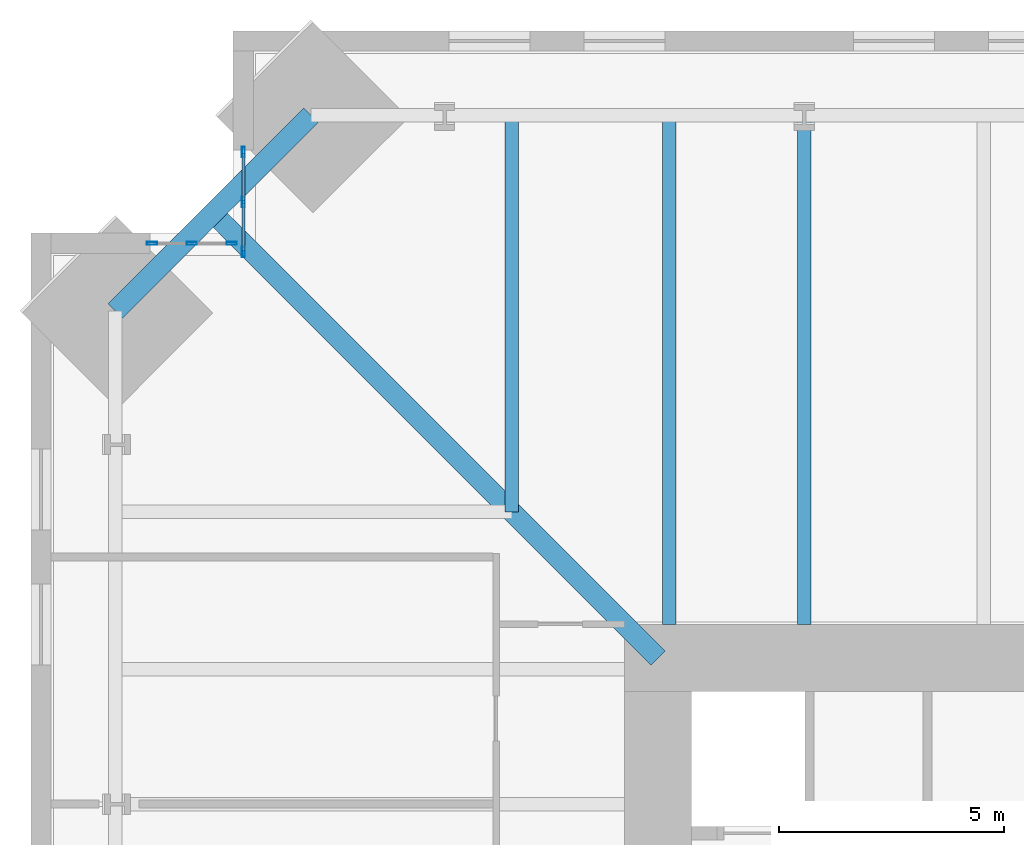
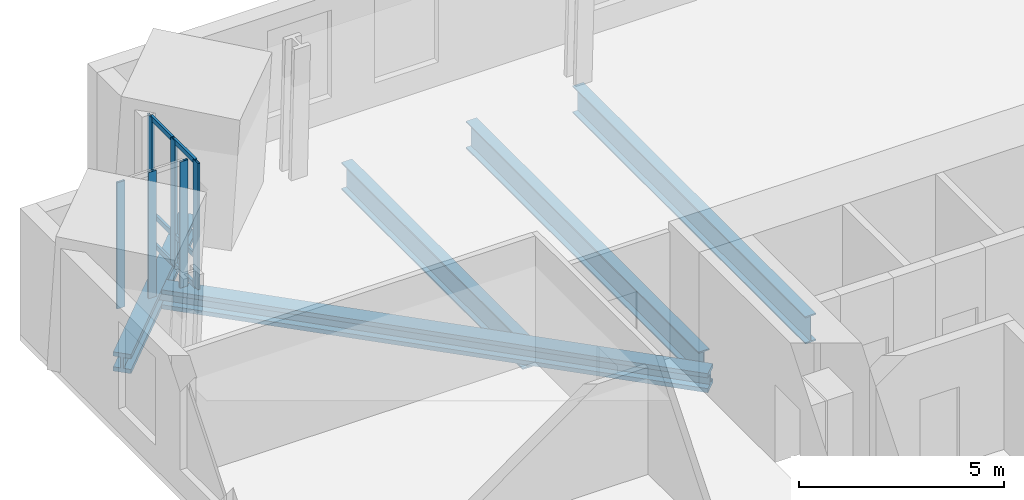
# One storey, part 6 of 15: 12 members, 5 beams, 2 elements without a shape of their own.
"""IFC4 building model written with IfcOpenShell, lengths in metres."""

from ifc_helpers import new_model, si_unit, direction, frame, origin, origin_2d, place, context, subcontext, project, spatial, hollow_rectangle, i_section, extrude, material, material_profile, profile_set, type_object, element, aggregate, save


model = new_model("IFC4")

# Units and contexts
model_context = context("Model", 3, precision=1e-05, world=origin(), true_north=direction((0.0, 1.0)))
body_context = subcontext(model_context, "Body", "Model", "MODEL_VIEW")
ifc_project = project(units=[si_unit("LENGTHUNIT", "METRE"), si_unit("AREAUNIT", "SQUARE_METRE"), si_unit("VOLUMEUNIT", "CUBIC_METRE"), si_unit("PLANEANGLEUNIT", "RADIAN"), si_unit("MASSUNIT", "GRAM", prefix="KILO")], contexts=[model_context])

# Site, building, storey
site_placement = place(None, origin())
site = spatial("IfcSite", under=ifc_project, at=site_placement, CompositionType="ELEMENT")
building_placement = place(site_placement, origin())
building = spatial("IfcBuilding", under=site, at=building_placement, Name="Peilmerk Tower", CompositionType="ELEMENT")
storey_placement = place(building_placement, frame((0.0, 0.0, 187.800048828125)))
storey = spatial("IfcBuildingStorey", under=building, at=storey_placement, Name="L40", CompositionType="ELEMENT", Elevation=187.800048828125)

# Beams
ifc_material_1 = material(Name="Steel S460", Category="steel")
ifc_material_profile_1 = material_profile(ifc_material_1, i_section(OverallWidth=0.4541015625, OverallDepth=0.569091796875, WebThickness=0.077880859375, FlangeThickness=0.125, at=origin_2d()), Name="HD 400x1086")
ifc_profile_set_1 = profile_set([ifc_material_profile_1], Name="Steel S460")
beam_type_1 = type_object("IfcBeamType", Name="B17 HD 400x1086 edge beam", PredefinedType="SPANDREL", material=ifc_profile_set_1)
beam_1_placement = place(storey_placement, frame((-23.32421875, 18.97412109375, -0.45458984375), z_axis=(0.707106781187, 0.707106781187, 0.0), x_axis=(-0.707106781187, 0.707106781187, 0.0)))
element("IfcBeam", 1, at=beam_1_placement, inside=storey, type_object=beam_type_1, Name="Notch beam L40", PredefinedType="SPANDREL", context=body_context, shape_type="SweptSolid", body=[
    extrude(i_section(OverallWidth=0.4541015625, OverallDepth=0.569091796875, WebThickness=0.077880859375, FlangeThickness=0.125, at=origin_2d()), origin(), (0.0, 0.0, 1.0), 6.15185546875),
])
ifc_material_profile_2 = material_profile(ifc_material_1, i_section(OverallWidth=0.302978515625, OverallDepth=0.81396484375, WebThickness=0.02099609375, FlangeThickness=0.0400390625, at=origin_2d()), Name="HEM 800")
ifc_profile_set_2 = profile_set([ifc_material_profile_2], Name="Steel S460")
beam_type_2 = type_object("IfcBeamType", Name="B26 HEM 800 floor beam", PredefinedType="BEAM", material=ifc_profile_set_2)
for number, where, z_axis, x_axis, name in (
    (2, (-8.0, 12.0, -0.5771484375), (0.0, 1.0, 0.0), (-1.0, 0.0, 0.0), "Floor beam L40"),
    (3, (-11.0, 12.0, -0.5771484375), (0.0, 1.0, 0.0), (-1.0, 0.0, 0.0), "Floor beam L40"),
):
    element("IfcBeam", number, at=place(storey_placement, frame(where, z_axis=z_axis, x_axis=x_axis)), inside=storey, type_object=beam_type_2, Name=name, PredefinedType="BEAM", context=body_context, shape_type="SweptSolid", body=[
        extrude(i_section(OverallWidth=0.302978515625, OverallDepth=0.81396484375, WebThickness=0.02099609375, FlangeThickness=0.0400390625, at=origin_2d()), origin(), (0.0, 0.0, 1.0), 11.32421875),
    ])
beam_2_placement = place(storey_placement, frame((-14.5, 14.5, -0.5771484375), z_axis=(0.0, 1.0, 0.0), x_axis=(-1.0, 0.0, 0.0)))
element("IfcBeam", 4, at=beam_2_placement, inside=storey, type_object=beam_type_2, Name="Floor beam L40", PredefinedType="BEAM", context=body_context, shape_type="SweptSolid", body=[
    extrude(i_section(OverallWidth=0.302978515625, OverallDepth=0.81396484375, WebThickness=0.02099609375, FlangeThickness=0.0400390625, at=origin_2d()), origin(), (0.0, 0.0, 1.0), 8.82421875),
])
ifc_material_profile_3 = material_profile(ifc_material_1, i_section(OverallWidth=0.4541015625, OverallDepth=0.569091796875, WebThickness=0.077880859375, FlangeThickness=0.125, at=origin_2d()), Name="HD 400x1086")
ifc_profile_set_3 = profile_set([ifc_material_profile_3], Name="Steel S460")
beam_type_3 = type_object("IfcBeamType", Name="B9 HD 400x1086 corner girder", PredefinedType="BEAM", material=ifc_profile_set_3)
beam_3_placement = place(storey_placement, frame((-11.25, 11.25, -0.45458984375), z_axis=(-0.707106781187, 0.707106781187, 0.0), x_axis=(-0.707106781187, -0.707106781187, 0.0)))
element("IfcBeam", 5, at=beam_3_placement, inside=storey, type_object=beam_type_3, Name="Corner girder L40", PredefinedType="BEAM", context=body_context, shape_type="SweptSolid", body=[
    extrude(i_section(OverallWidth=0.4541015625, OverallDepth=0.569091796875, WebThickness=0.077880859375, FlangeThickness=0.125, at=origin_2d()), origin(), (0.0, 0.0, 1.0), 13.99951171875),
])

# Curtain wall, members
ifc_material_2 = material(Name="Aluminium stick curtain wall", Category="aluminium")
curtain_wall_type = type_object("IfcCurtainWallType", Name="CW3 stick curtain wall, 2250 module", PredefinedType="NOTDEFINED", material=ifc_material_2)
curtain_wall_1_placement = place(storey_placement, origin())
curtain_wall_1 = element("IfcCurtainWall", 6, at=curtain_wall_1_placement, inside=storey, type_object=curtain_wall_type, Name="Curtain wall CW3 NWA L40", PredefinedType="NOTDEFINED")
ifc_material_3 = material(Name="Aluminium EN AW-6063 T6", Category="aluminium")
ifc_material_profile_4 = material_profile(ifc_material_3, hollow_rectangle(XDim=0.06494140625, YDim=0.22509765625, WallThickness=0.00390625, at=origin_2d()), Name="AL 225x65x4")
ifc_profile_set_4 = profile_set([ifc_material_profile_4], Name="Aluminium EN AW-6063 T6")
member_type_1 = type_object("IfcMemberType", Name="CW3-M AL 225x65x4 mullion", PredefinedType="MULLION", material=ifc_profile_set_4)
member_1_placement = place(storey_placement, frame((-20.47509765625, 20.282470703125, 0.0), z_axis=(0.0, 0.0, 1.0), x_axis=(-1.0, 0.0, 0.0)))
member_1 = element("IfcMember", 7, at=member_1_placement, type_object=member_type_1, Name="CW3 mullion 1", PredefinedType="MULLION", context=body_context, shape_type="SweptSolid", body=[
    extrude(hollow_rectangle(XDim=0.06494140625, YDim=0.22509765625, WallThickness=0.00390625, at=origin_2d()), origin(), (0.0, 0.0, 1.0), 3.75),
])
member_2_placement = place(storey_placement, frame((-20.47509765625, 21.394287109375, 0.0), z_axis=(0.0, 0.0, 1.0), x_axis=(-1.0, 0.0, 0.0)))
member_2 = element("IfcMember", 8, at=member_2_placement, type_object=member_type_1, Name="CW3 mullion 2", PredefinedType="MULLION", context=body_context, shape_type="SweptSolid", body=[
    extrude(hollow_rectangle(XDim=0.06494140625, YDim=0.22509765625, WallThickness=0.00390625, at=origin_2d()), origin(), (0.0, 0.0, 1.0), 3.75),
])
member_3_placement = place(storey_placement, frame((-20.47509765625, 22.506103515625, 0.0), z_axis=(0.0, 0.0, 1.0), x_axis=(-1.0, 0.0, 0.0)))
member_3 = element("IfcMember", 9, at=member_3_placement, type_object=member_type_1, Name="CW3 mullion 3", PredefinedType="MULLION", context=body_context, shape_type="SweptSolid", body=[
    extrude(hollow_rectangle(XDim=0.06494140625, YDim=0.22509765625, WallThickness=0.00390625, at=origin_2d()), origin(), (0.0, 0.0, 1.0), 3.75),
])

curtain_wall_2_placement = place(storey_placement, origin())
curtain_wall_2 = element("IfcCurtainWall", 10, at=curtain_wall_2_placement, inside=storey, type_object=curtain_wall_type, Name="Curtain wall CW3 NWB L40", PredefinedType="NOTDEFINED")
member_4_placement = place(storey_placement, frame((-20.732421875, 20.47509765625, 0.0), z_axis=(0.0, 0.0, 1.0), x_axis=(0.0, -1.0, 0.0)))
member_4 = element("IfcMember", 11, at=member_4_placement, type_object=member_type_1, Name="CW3 mullion 1", PredefinedType="MULLION", context=body_context, shape_type="SweptSolid", body=[
    extrude(hollow_rectangle(XDim=0.06494140625, YDim=0.22509765625, WallThickness=0.00390625, at=origin_2d()), origin(), (0.0, 0.0, 1.0), 3.75),
])
member_5_placement = place(storey_placement, frame((-21.619384765625, 20.47509765625, 0.0), z_axis=(0.0, 0.0, 1.0), x_axis=(0.0, -1.0, 0.0)))
member_5 = element("IfcMember", 12, at=member_5_placement, type_object=member_type_1, Name="CW3 mullion 2", PredefinedType="MULLION", context=body_context, shape_type="SweptSolid", body=[
    extrude(hollow_rectangle(XDim=0.06494140625, YDim=0.22509765625, WallThickness=0.00390625, at=origin_2d()), origin(), (0.0, 0.0, 1.0), 3.75),
])
member_6_placement = place(storey_placement, frame((-22.506103515625, 20.47509765625, 0.0), z_axis=(0.0, 0.0, 1.0), x_axis=(0.0, -1.0, 0.0)))
member_6 = element("IfcMember", 13, at=member_6_placement, type_object=member_type_1, Name="CW3 mullion 3", PredefinedType="MULLION", context=body_context, shape_type="SweptSolid", body=[
    extrude(hollow_rectangle(XDim=0.06494140625, YDim=0.22509765625, WallThickness=0.00390625, at=origin_2d()), origin(), (0.0, 0.0, 1.0), 3.75),
])
aggregate(curtain_wall_2, [member_4, member_5, member_6])

# Member
ifc_material_profile_5 = material_profile(ifc_material_3, hollow_rectangle(XDim=0.06494140625, YDim=0.14990234375, WallThickness=0.0029296875, at=origin_2d()), Name="AL 150x65x3")
ifc_profile_set_5 = profile_set([ifc_material_profile_5], Name="Aluminium EN AW-6063 T6")
member_type_2 = type_object("IfcMemberType", Name="CW3-T AL 150x65x3 transom", PredefinedType="USERDEFINED", material=ifc_profile_set_5)
member_7_placement = place(storey_placement, frame((-20.47509765625, 20.31494140625, 0.032470703125), z_axis=(0.0, 1.0, 0.0), x_axis=(-1.0, 0.0, 0.0)))
member_7 = element("IfcMember", 14, at=member_7_placement, type_object=member_type_2, Name="CW3 transom 1.1", ObjectType="TRANSOM", PredefinedType="USERDEFINED", context=body_context, shape_type="SweptSolid", body=[
    extrude(hollow_rectangle(XDim=0.06494140625, YDim=0.14990234375, WallThickness=0.0029296875, at=origin_2d()), origin(), (0.0, 0.0, 1.0), 1.046875),
])

member_8_placement = place(storey_placement, frame((-20.47509765625, 20.31494140625, 0.89990234375), z_axis=(0.0, 1.0, 0.0), x_axis=(-1.0, 0.0, 0.0)))
member_8 = element("IfcMember", 15, at=member_8_placement, type_object=member_type_2, Name="CW3 transom 1.2", ObjectType="TRANSOM", PredefinedType="USERDEFINED", context=body_context, shape_type="SweptSolid", body=[
    extrude(hollow_rectangle(XDim=0.06494140625, YDim=0.14990234375, WallThickness=0.0029296875, at=origin_2d()), origin(), (0.0, 0.0, 1.0), 1.046875),
])

member_9_placement = place(storey_placement, frame((-20.47509765625, 20.31494140625, 3.717529296875), z_axis=(0.0, 1.0, 0.0), x_axis=(-1.0, 0.0, 0.0)))
member_9 = element("IfcMember", 16, at=member_9_placement, type_object=member_type_2, Name="CW3 transom 1.3", ObjectType="TRANSOM", PredefinedType="USERDEFINED", context=body_context, shape_type="SweptSolid", body=[
    extrude(hollow_rectangle(XDim=0.06494140625, YDim=0.14990234375, WallThickness=0.0029296875, at=origin_2d()), origin(), (0.0, 0.0, 1.0), 1.046875),
])

member_10_placement = place(storey_placement, frame((-20.47509765625, 21.4267578125, 0.032470703125), z_axis=(0.0, 1.0, 0.0), x_axis=(-1.0, 0.0, 0.0)))
member_10 = element("IfcMember", 17, at=member_10_placement, type_object=member_type_2, Name="CW3 transom 2.1", ObjectType="TRANSOM", PredefinedType="USERDEFINED", context=body_context, shape_type="SweptSolid", body=[
    extrude(hollow_rectangle(XDim=0.06494140625, YDim=0.14990234375, WallThickness=0.0029296875, at=origin_2d()), origin(), (0.0, 0.0, 1.0), 1.046875),
])

member_11_placement = place(storey_placement, frame((-20.47509765625, 21.4267578125, 0.89990234375), z_axis=(0.0, 1.0, 0.0), x_axis=(-1.0, 0.0, 0.0)))
member_11 = element("IfcMember", 18, at=member_11_placement, type_object=member_type_2, Name="CW3 transom 2.2", ObjectType="TRANSOM", PredefinedType="USERDEFINED", context=body_context, shape_type="SweptSolid", body=[
    extrude(hollow_rectangle(XDim=0.06494140625, YDim=0.14990234375, WallThickness=0.0029296875, at=origin_2d()), origin(), (0.0, 0.0, 1.0), 1.046875),
])

member_12_placement = place(storey_placement, frame((-20.47509765625, 21.4267578125, 3.717529296875), z_axis=(0.0, 1.0, 0.0), x_axis=(-1.0, 0.0, 0.0)))
member_12 = element("IfcMember", 19, at=member_12_placement, type_object=member_type_2, Name="CW3 transom 2.3", ObjectType="TRANSOM", PredefinedType="USERDEFINED", context=body_context, shape_type="SweptSolid", body=[
    extrude(hollow_rectangle(XDim=0.06494140625, YDim=0.14990234375, WallThickness=0.0029296875, at=origin_2d()), origin(), (0.0, 0.0, 1.0), 1.046875),
])

aggregate(curtain_wall_1, [member_1, member_2, member_3, member_7, member_8, member_9, member_10, member_11, member_12])

save(model, "model.ifc")
